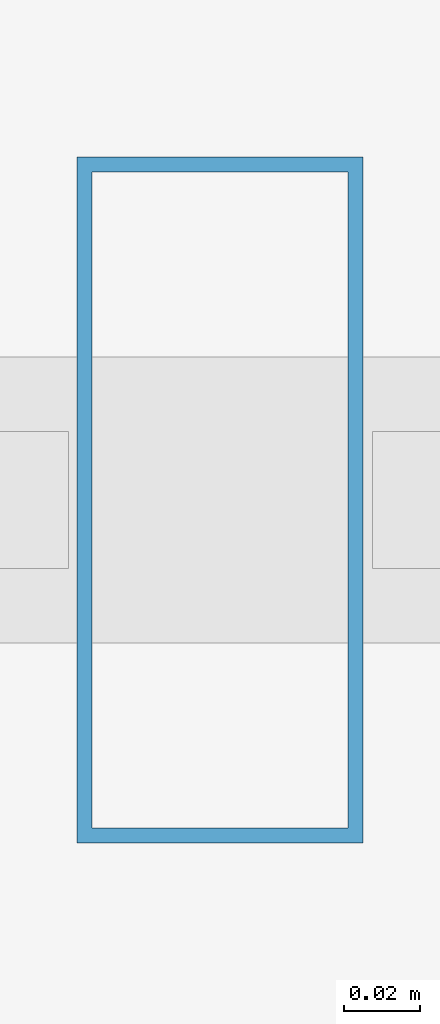
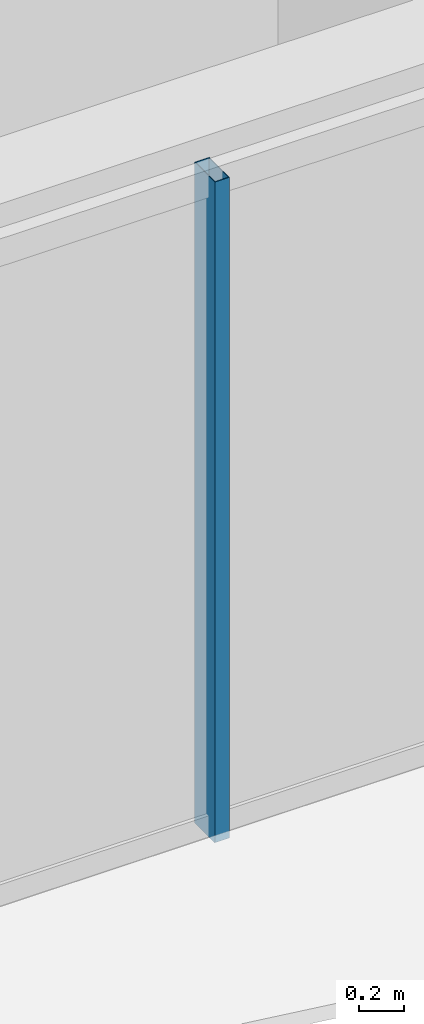
# One storey, part 3 of 36: 1 member, 1 element without a shape of its own.
"""IFC4 building model written with IfcOpenShell, lengths in metres."""

from ifc_helpers import new_model, si_unit, direction, frame, origin, origin_2d, place, context, subcontext, project, spatial, hollow_rectangle, extrude, material, layer, layer_set, material_profile, profile_set, type_object, element, aggregate, save


model = new_model("IFC4")

# Units and contexts
model_context = context("Model", 3, precision=1e-05, world=origin(), true_north=direction((0.0, 1.0)))
body_context = subcontext(model_context, "Body", "Model", "MODEL_VIEW")
ifc_project = project(units=[si_unit("LENGTHUNIT", "METRE"), si_unit("AREAUNIT", "SQUARE_METRE"), si_unit("VOLUMEUNIT", "CUBIC_METRE"), si_unit("PLANEANGLEUNIT", "RADIAN"), si_unit("MASSUNIT", "GRAM", prefix="KILO")], contexts=[model_context])

# Site, building, storey
site_placement = place(None, origin())
site = spatial("IfcSite", under=ifc_project, at=site_placement, CompositionType="ELEMENT")
building_placement = place(site_placement, origin())
building = spatial("IfcBuilding", under=site, at=building_placement, Name="Ndaravel Arena Tower", CompositionType="ELEMENT")
storey_placement = place(building_placement, frame((0.0, 0.0, 127.0)))
storey = spatial("IfcBuildingStorey", under=building, at=storey_placement, Name="L29", CompositionType="ELEMENT", Elevation=127.0)

# Curtain wall, member
ifc_material_1 = material(Name="Aluminium", Category="aluminium")
ifc_layer = layer(ifc_material_1, 0.179931640625)
ifc_layer_set = layer_set([ifc_layer], Name="Aluminium")
curtain_wall_type = type_object("IfcCurtainWallType", Name="CW-SYS-03", PredefinedType="NOTDEFINED", material=ifc_layer_set)
curtain_wall_placement = place(storey_placement, origin())
curtain_wall = element("IfcCurtainWall", 1, at=curtain_wall_placement, inside=storey, type_object=curtain_wall_type, Name="L29 Faceted Crystal Curtain Wall CW-L29-E01", PredefinedType="NOTDEFINED")
ifc_material_2 = material(Name="Aluminium", Category="aluminium")
ifc_material_profile = material_profile(ifc_material_2, hollow_rectangle(XDim=0.074951171875, YDim=0.179931640625, WallThickness=0.00390625, at=origin_2d()), Name="CW MULLION 75x180x4")
ifc_profile_set = profile_set([ifc_material_profile], Name="Aluminium")
member_type = type_object("IfcMemberType", Name="MEM-CW-MUL180", PredefinedType="MULLION", material=ifc_profile_set)
member_placement = place(storey_placement, frame((33.277587890625, 5.159912109375, 0.0), z_axis=(0.0, 0.0, 1.0), x_axis=(1.0, 0.0, 0.0)))
member = element("IfcMember", 2, at=member_placement, type_object=member_type, Name="CW-L29-E01 Mullion 02", PredefinedType="MULLION", context=body_context, shape_type="SweptSolid", body=[
    extrude(hollow_rectangle(XDim=0.074951171875, YDim=0.179931640625, WallThickness=0.00390625, at=origin_2d()), origin(), (0.0, 0.0, 1.0), 3.580078125),
])
aggregate(curtain_wall, [member])

save(model, "model.ifc")
